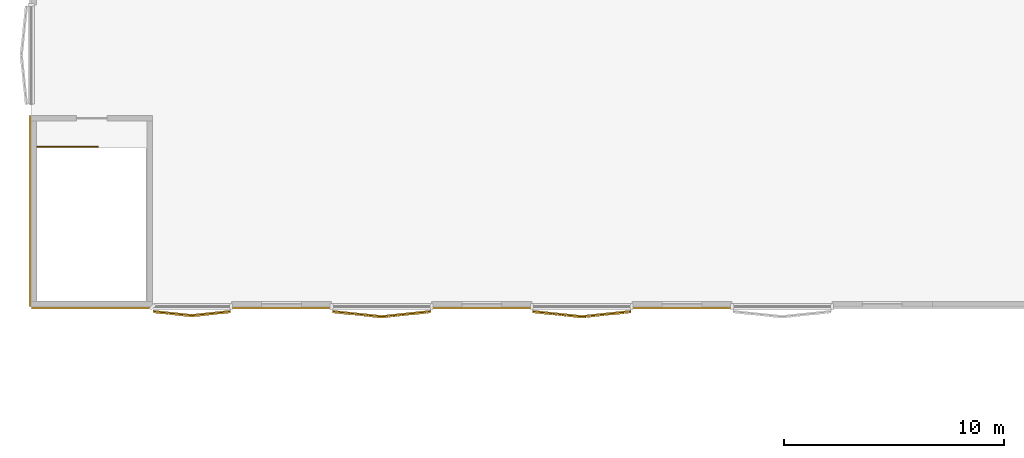
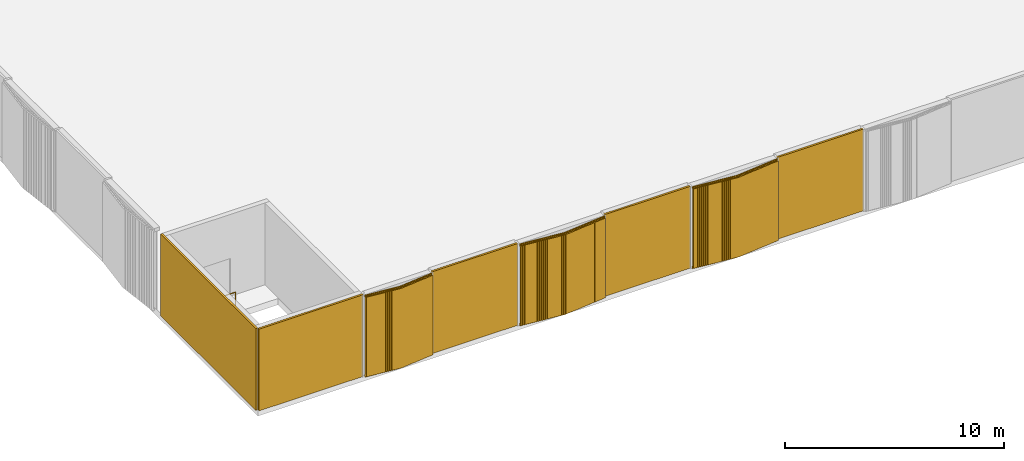
# One storey, part 18 of 24: 8 coverings, 1 railing.
"""IFC4 building model written with IfcOpenShell, lengths in metres."""

from ifc_helpers import new_model, si_unit, direction, frame, frame_2d, origin, origin_2d, place, context, subcontext, project, spatial, rectangle, circle, extrude, source, transform, mapped, material, layer, layer_set, type_object, element, save


model = new_model("IFC4")

# Units and contexts
model_context = context("Model", 3, precision=1e-05, world=origin(), true_north=direction((0.0, 1.0)))
body_context = subcontext(model_context, "Body", "Model", "MODEL_VIEW")
ifc_project = project(units=[si_unit("LENGTHUNIT", "METRE"), si_unit("AREAUNIT", "SQUARE_METRE"), si_unit("VOLUMEUNIT", "CUBIC_METRE"), si_unit("PLANEANGLEUNIT", "RADIAN"), si_unit("MASSUNIT", "GRAM", prefix="KILO")], contexts=[model_context])

# Site, building, storey
site_placement = place(None, origin())
site = spatial("IfcSite", under=ifc_project, at=site_placement, CompositionType="ELEMENT")
building_placement = place(site_placement, origin())
building = spatial("IfcBuilding", under=site, at=building_placement, Name="Tamra Quay Hotel Tower", CompositionType="ELEMENT")
storey_placement = place(building_placement, frame((0.0, 0.0, 19.5)))
storey = spatial("IfcBuildingStorey", under=building, at=storey_placement, Name="L03", CompositionType="ELEMENT", Elevation=19.5)

# Coverings
ifc_material_1 = material(Name="Precast concrete M60 terracotta-coloured pierced relief", Category="masonry")
ifc_layer = layer(ifc_material_1, 0.10009765625)
ifc_layer_set = layer_set([ifc_layer], Name="PIERCED RELIEF PANEL 100")
covering_type_1 = type_object("IfcCoveringType", Name="PIERCED RELIEF PANEL 100", PredefinedType="CLADDING", material=ifc_layer_set)
for number, where, z_axis, x_axis, name in (
    (1, (-77.734619140625, -32.050048828125, 0.0), (0.0, 0.0, 1.0), (1.0, 0.0, 0.0), "Relief panel L03.SW.12"),
    (2, (-68.642333984375, -32.050048828125, 0.0), (0.0, 0.0, 1.0), (1.0, 0.0, 0.0), "Relief panel L03.SW.14"),
    (3, (-59.550048828125, -32.050048828125, 0.0), (0.0, 0.0, 1.0), (1.0, 0.0, 0.0), "Relief panel L03.SW.16"),
):
    element("IfcCovering", number, at=place(storey_placement, frame(where, z_axis=z_axis, x_axis=x_axis)), inside=storey, type_object=covering_type_1, Name=name, PredefinedType="CLADDING", context=body_context, shape_type="SweptSolid", body=[
        extrude(rectangle(XDim=4.526123046875, YDim=0.10009765625, at=origin_2d()), origin(), (0.0, 0.0, 1.0), 4.550048828125),
    ])
covering_1_placement = place(storey_placement, frame((-89.14990234375, -27.64990234375, 0.0), z_axis=(0.0, 0.0, 1.0), x_axis=(0.0, -1.0, 0.0)))
element("IfcCovering", 4, at=covering_1_placement, inside=storey, type_object=covering_type_1, Name="Relief panel L03.PS2.2", PredefinedType="CLADDING", context=body_context, shape_type="SweptSolid", body=[
    extrude(rectangle(XDim=8.679931640625, YDim=0.10009765625, at=origin_2d()), origin(), (0.0, 0.0, 1.0), 4.550048828125),
])
covering_2_placement = place(storey_placement, frame((-86.35009765625, -32.050048828125, 0.0), z_axis=(0.0, 0.0, 1.0), x_axis=(1.0, 0.0, 0.0)))
element("IfcCovering", 5, at=covering_2_placement, inside=storey, type_object=covering_type_1, Name="Relief panel L03.PS2.3", PredefinedType="CLADDING", context=body_context, shape_type="SweptSolid", body=[
    extrude(rectangle(XDim=5.47998046875, YDim=0.10009765625, at=origin_2d()), origin(), (0.0, 0.0, 1.0), 4.550048828125),
])

# Railing
ifc_material_2 = material(Name="Stair guard 1100")
railing_type = type_object("IfcRailingType", Name="Stair guard 1100", PredefinedType="GUARDRAIL", material=ifc_material_2)
railing_placement = place(storey_placement, frame((-88.830078125, -24.719970703125, 0.0)))
element("IfcRailing", 6, at=railing_placement, inside=storey, type_object=railing_type, Name="GR", PredefinedType="GUARDRAIL", context=body_context, shape_type="SweptSolid", body=[
    extrude(circle(Radius=0.02392578125, at=origin_2d()), frame((0.0, 0.0, 1.076171875), z_axis=(1.0, 0.0, 0.0), x_axis=(0.0, 1.0, 0.0)), (0.0, 0.0, 1.0), 2.760009765625),
    extrude(circle(Radius=0.02099609375, at=origin_2d()), origin(), (0.0, 0.0, 1.0), 1.052001953125),
    extrude(circle(Radius=0.02099609375, at=origin_2d()), frame((0.919921875, 0.0, 0.0)), (0.0, 0.0, 1.0), 1.052001953125),
    extrude(circle(Radius=0.02099609375, at=origin_2d()), frame((1.840087890625, 0.0, 0.0)), (0.0, 0.0, 1.0), 1.052001953125),
    extrude(circle(Radius=0.02099609375, at=origin_2d()), frame((2.760009765625, 0.0, 0.0)), (0.0, 0.0, 1.0), 1.052001953125),
])

# Coverings
ifc_material_3 = material(Name="Terracotta baguette extruded", Category="masonry")
covering_type_2 = type_object("IfcCoveringType", Name="BAGUETTE SCREEN PODIUM-SHALLOW H4550", PredefinedType="USERDEFINED", material=ifc_material_3)
shared_shape_1 = source(origin(), body_context, "Body", "SweptSolid", [
    extrude(rectangle(XDim=1.76220703125, YDim=0.06005859375, at=frame_2d((0.881103515625, 0.030029296875))), frame((-1.7587890625, -0.0576171875, -0.1201171875), z_axis=(0.0, 0.0, 1.0), x_axis=(0.994521895368, -0.104528463268, 0.0)), (0.0, 0.0, 1.0), 0.1201171875),
    extrude(rectangle(XDim=1.76220703125, YDim=0.06005859375, at=frame_2d((0.881103515625, 0.030029296875))), frame((-1.7587890625, -0.0576171875, -4.550048828125), z_axis=(0.0, 0.0, 1.0), x_axis=(0.994521895368, -0.104528463268, 0.0)), (0.0, 0.0, 1.0), 0.1201171875),
    extrude(rectangle(XDim=0.094970703125, YDim=0.10009765625, at=frame_2d((0.04736328125, 0.050048828125))), frame((-1.751220703125, -0.133056640625, -4.489990234375)), (0.0, 0.0, 1.0), 4.429931640625),
    extrude(rectangle(XDim=0.094970703125, YDim=0.10009765625, at=frame_2d((0.04736328125, 0.050048828125))), frame((-1.654052734375, -0.143310546875, -4.489990234375)), (0.0, 0.0, 1.0), 4.429931640625),
    extrude(rectangle(XDim=0.094970703125, YDim=0.10009765625, at=frame_2d((0.04736328125, 0.050048828125))), frame((-1.556640625, -0.153564453125, -4.489990234375)), (0.0, 0.0, 1.0), 4.429931640625),
    extrude(rectangle(XDim=0.094970703125, YDim=0.10009765625, at=frame_2d((0.04736328125, 0.050048828125))), frame((-1.459228515625, -0.163818359375, -4.489990234375)), (0.0, 0.0, 1.0), 4.429931640625),
    extrude(rectangle(XDim=0.094970703125, YDim=0.10009765625, at=frame_2d((0.04736328125, 0.050048828125))), frame((-1.36181640625, -0.174072265625, -4.489990234375)), (0.0, 0.0, 1.0), 4.429931640625),
    extrude(rectangle(XDim=0.094970703125, YDim=0.10009765625, at=frame_2d((0.04736328125, 0.050048828125))), frame((-1.264404296875, -0.184326171875, -4.489990234375)), (0.0, 0.0, 1.0), 4.429931640625),
    extrude(rectangle(XDim=0.094970703125, YDim=0.10009765625, at=frame_2d((0.04736328125, 0.050048828125))), frame((-1.167236328125, -0.194580078125, -4.489990234375)), (0.0, 0.0, 1.0), 4.429931640625),
    extrude(rectangle(XDim=0.094970703125, YDim=0.10009765625, at=frame_2d((0.04736328125, 0.050048828125))), frame((-1.06982421875, -0.204833984375, -4.489990234375)), (0.0, 0.0, 1.0), 4.429931640625),
    extrude(rectangle(XDim=0.094970703125, YDim=0.10009765625, at=frame_2d((0.04736328125, 0.050048828125))), frame((-0.972412109375, -0.215087890625, -4.489990234375)), (0.0, 0.0, 1.0), 4.429931640625),
    extrude(rectangle(XDim=0.094970703125, YDim=0.10009765625, at=frame_2d((0.04736328125, 0.050048828125))), frame((-0.875, -0.22509765625, -4.489990234375)), (0.0, 0.0, 1.0), 4.429931640625),
    extrude(rectangle(XDim=0.094970703125, YDim=0.10009765625, at=frame_2d((0.04736328125, 0.050048828125))), frame((-0.77783203125, -0.2353515625, -4.489990234375)), (0.0, 0.0, 1.0), 4.429931640625),
    extrude(rectangle(XDim=0.094970703125, YDim=0.10009765625, at=frame_2d((0.04736328125, 0.050048828125))), frame((-0.680419921875, -0.24560546875, -4.489990234375)), (0.0, 0.0, 1.0), 4.429931640625),
    extrude(rectangle(XDim=0.094970703125, YDim=0.10009765625, at=frame_2d((0.04736328125, 0.050048828125))), frame((-0.5830078125, -0.255859375, -4.489990234375)), (0.0, 0.0, 1.0), 4.429931640625),
    extrude(rectangle(XDim=0.094970703125, YDim=0.10009765625, at=frame_2d((0.04736328125, 0.050048828125))), frame((-0.485595703125, -0.26611328125, -4.489990234375)), (0.0, 0.0, 1.0), 4.429931640625),
    extrude(rectangle(XDim=0.094970703125, YDim=0.10009765625, at=frame_2d((0.04736328125, 0.050048828125))), frame((-0.38818359375, -0.2763671875, -4.489990234375)), (0.0, 0.0, 1.0), 4.429931640625),
    extrude(rectangle(XDim=0.094970703125, YDim=0.10009765625, at=frame_2d((0.04736328125, 0.050048828125))), frame((-0.291015625, -0.28662109375, -4.489990234375)), (0.0, 0.0, 1.0), 4.429931640625),
    extrude(rectangle(XDim=0.094970703125, YDim=0.10009765625, at=frame_2d((0.04736328125, 0.050048828125))), frame((-0.193603515625, -0.296875, -4.489990234375)), (0.0, 0.0, 1.0), 4.429931640625),
    extrude(rectangle(XDim=0.094970703125, YDim=0.10009765625, at=frame_2d((0.04736328125, 0.050048828125))), frame((-0.09619140625, -0.30712890625, -4.489990234375)), (0.0, 0.0, 1.0), 4.429931640625),
    extrude(rectangle(XDim=1.76220703125, YDim=0.06005859375, at=frame_2d((0.881103515625, 0.030029296875))), frame((0.00634765625, -0.241943359375, -0.1201171875), z_axis=(0.0, 0.0, 1.0), x_axis=(0.994521895368, 0.104528463268, 0.0)), (0.0, 0.0, 1.0), 0.1201171875),
    extrude(rectangle(XDim=1.76220703125, YDim=0.06005859375, at=frame_2d((0.881103515625, 0.030029296875))), frame((0.00634765625, -0.241943359375, -4.550048828125), z_axis=(0.0, 0.0, 1.0), x_axis=(0.994521895368, 0.104528463268, 0.0)), (0.0, 0.0, 1.0), 0.1201171875),
    extrude(rectangle(XDim=0.094970703125, YDim=0.10009765625, at=frame_2d((0.04736328125, 0.050048828125))), frame((0.001220703125, -0.30712890625, -4.489990234375)), (0.0, 0.0, 1.0), 4.429931640625),
    extrude(rectangle(XDim=0.094970703125, YDim=0.10009765625, at=frame_2d((0.04736328125, 0.050048828125))), frame((0.0986328125, -0.296875, -4.489990234375)), (0.0, 0.0, 1.0), 4.429931640625),
    extrude(rectangle(XDim=0.094970703125, YDim=0.10009765625, at=frame_2d((0.04736328125, 0.050048828125))), frame((0.19580078125, -0.28662109375, -4.489990234375)), (0.0, 0.0, 1.0), 4.429931640625),
    extrude(rectangle(XDim=0.094970703125, YDim=0.10009765625, at=frame_2d((0.04736328125, 0.050048828125))), frame((0.293212890625, -0.2763671875, -4.489990234375)), (0.0, 0.0, 1.0), 4.429931640625),
    extrude(rectangle(XDim=0.094970703125, YDim=0.10009765625, at=frame_2d((0.04736328125, 0.050048828125))), frame((0.390625, -0.26611328125, -4.489990234375)), (0.0, 0.0, 1.0), 4.429931640625),
    extrude(rectangle(XDim=0.094970703125, YDim=0.10009765625, at=frame_2d((0.04736328125, 0.050048828125))), frame((0.488037109375, -0.255859375, -4.489990234375)), (0.0, 0.0, 1.0), 4.429931640625),
    extrude(rectangle(XDim=0.094970703125, YDim=0.10009765625, at=frame_2d((0.04736328125, 0.050048828125))), frame((0.58544921875, -0.24560546875, -4.489990234375)), (0.0, 0.0, 1.0), 4.429931640625),
    extrude(rectangle(XDim=0.094970703125, YDim=0.10009765625, at=frame_2d((0.04736328125, 0.050048828125))), frame((0.6826171875, -0.2353515625, -4.489990234375)), (0.0, 0.0, 1.0), 4.429931640625),
    extrude(rectangle(XDim=0.094970703125, YDim=0.10009765625, at=frame_2d((0.04736328125, 0.050048828125))), frame((0.780029296875, -0.22509765625, -4.489990234375)), (0.0, 0.0, 1.0), 4.429931640625),
    extrude(rectangle(XDim=0.094970703125, YDim=0.10009765625, at=frame_2d((0.04736328125, 0.050048828125))), frame((0.87744140625, -0.215087890625, -4.489990234375)), (0.0, 0.0, 1.0), 4.429931640625),
    extrude(rectangle(XDim=0.094970703125, YDim=0.10009765625, at=frame_2d((0.04736328125, 0.050048828125))), frame((0.974853515625, -0.204833984375, -4.489990234375)), (0.0, 0.0, 1.0), 4.429931640625),
    extrude(rectangle(XDim=0.094970703125, YDim=0.10009765625, at=frame_2d((0.04736328125, 0.050048828125))), frame((1.072265625, -0.194580078125, -4.489990234375)), (0.0, 0.0, 1.0), 4.429931640625),
    extrude(rectangle(XDim=0.094970703125, YDim=0.10009765625, at=frame_2d((0.04736328125, 0.050048828125))), frame((1.16943359375, -0.184326171875, -4.489990234375)), (0.0, 0.0, 1.0), 4.429931640625),
    extrude(rectangle(XDim=0.094970703125, YDim=0.10009765625, at=frame_2d((0.04736328125, 0.050048828125))), frame((1.266845703125, -0.174072265625, -4.489990234375)), (0.0, 0.0, 1.0), 4.429931640625),
    extrude(rectangle(XDim=0.094970703125, YDim=0.10009765625, at=frame_2d((0.04736328125, 0.050048828125))), frame((1.3642578125, -0.163818359375, -4.489990234375)), (0.0, 0.0, 1.0), 4.429931640625),
    extrude(rectangle(XDim=0.094970703125, YDim=0.10009765625, at=frame_2d((0.04736328125, 0.050048828125))), frame((1.461669921875, -0.153564453125, -4.489990234375)), (0.0, 0.0, 1.0), 4.429931640625),
    extrude(rectangle(XDim=0.094970703125, YDim=0.10009765625, at=frame_2d((0.04736328125, 0.050048828125))), frame((1.55908203125, -0.143310546875, -4.489990234375)), (0.0, 0.0, 1.0), 4.429931640625),
    extrude(rectangle(XDim=0.094970703125, YDim=0.10009765625, at=frame_2d((0.04736328125, 0.050048828125))), frame((1.65625, -0.133056640625, -4.489990234375)), (0.0, 0.0, 1.0), 4.429931640625),
])
covering_3_placement = place(storey_placement, frame((-81.803955078125, -32.14794921875, 4.550048828125), z_axis=(0.0, 0.0, 1.0), x_axis=(1.0, 0.0, 0.0)))
element("IfcCovering", 7, at=covering_3_placement, inside=storey, type_object=covering_type_2, Name="Baguette screen L03.SW.f00", ObjectType="BAGUETTE SCREEN", PredefinedType="USERDEFINED", context=body_context, shape_type="MappedRepresentation", body=[
    mapped(shared_shape_1, transform((0.0, 0.0, 0.0), scale=1.0)),
])
shared_shape_2 = source(origin(), body_context, "Body", "SweptSolid", [
    extrude(rectangle(XDim=2.244873046875, YDim=0.06005859375, at=frame_2d((1.12255859375, 0.030029296875))), frame((-2.23876953125, -0.0576171875, -0.1201171875), z_axis=(0.0, 0.0, 1.0), x_axis=(0.994521895368, -0.104528463268, 0.0)), (0.0, 0.0, 1.0), 0.1201171875),
    extrude(rectangle(XDim=2.244873046875, YDim=0.06005859375, at=frame_2d((1.12255859375, 0.030029296875))), frame((-2.23876953125, -0.0576171875, -4.550048828125), z_axis=(0.0, 0.0, 1.0), x_axis=(0.994521895368, -0.104528463268, 0.0)), (0.0, 0.0, 1.0), 0.1201171875),
    extrude(rectangle(XDim=0.094970703125, YDim=0.10009765625, at=frame_2d((0.04736328125, 0.050048828125))), frame((-2.229248046875, -0.13330078125, -4.489990234375)), (0.0, 0.0, 1.0), 4.429931640625),
    extrude(rectangle(XDim=0.094970703125, YDim=0.10009765625, at=frame_2d((0.04736328125, 0.050048828125))), frame((-2.127685546875, -0.14404296875, -4.489990234375)), (0.0, 0.0, 1.0), 4.429931640625),
    extrude(rectangle(XDim=0.094970703125, YDim=0.10009765625, at=frame_2d((0.04736328125, 0.050048828125))), frame((-2.0263671875, -0.154541015625, -4.489990234375)), (0.0, 0.0, 1.0), 4.429931640625),
    extrude(rectangle(XDim=0.094970703125, YDim=0.10009765625, at=frame_2d((0.04736328125, 0.050048828125))), frame((-1.9248046875, -0.165283203125, -4.489990234375)), (0.0, 0.0, 1.0), 4.429931640625),
    extrude(rectangle(XDim=0.094970703125, YDim=0.10009765625, at=frame_2d((0.04736328125, 0.050048828125))), frame((-1.8232421875, -0.176025390625, -4.489990234375)), (0.0, 0.0, 1.0), 4.429931640625),
    extrude(rectangle(XDim=0.094970703125, YDim=0.10009765625, at=frame_2d((0.04736328125, 0.050048828125))), frame((-1.721923828125, -0.186767578125, -4.489990234375)), (0.0, 0.0, 1.0), 4.429931640625),
    extrude(rectangle(XDim=0.094970703125, YDim=0.10009765625, at=frame_2d((0.04736328125, 0.050048828125))), frame((-1.620361328125, -0.197265625, -4.489990234375)), (0.0, 0.0, 1.0), 4.429931640625),
    extrude(rectangle(XDim=0.094970703125, YDim=0.10009765625, at=frame_2d((0.04736328125, 0.050048828125))), frame((-1.518798828125, -0.2080078125, -4.489990234375)), (0.0, 0.0, 1.0), 4.429931640625),
    extrude(rectangle(XDim=0.094970703125, YDim=0.10009765625, at=frame_2d((0.04736328125, 0.050048828125))), frame((-1.41748046875, -0.21875, -4.489990234375)), (0.0, 0.0, 1.0), 4.429931640625),
    extrude(rectangle(XDim=0.094970703125, YDim=0.10009765625, at=frame_2d((0.04736328125, 0.050048828125))), frame((-1.31591796875, -0.229248046875, -4.489990234375)), (0.0, 0.0, 1.0), 4.429931640625),
    extrude(rectangle(XDim=0.094970703125, YDim=0.10009765625, at=frame_2d((0.04736328125, 0.050048828125))), frame((-1.214599609375, -0.239990234375, -4.489990234375)), (0.0, 0.0, 1.0), 4.429931640625),
    extrude(rectangle(XDim=0.094970703125, YDim=0.10009765625, at=frame_2d((0.04736328125, 0.050048828125))), frame((-1.113037109375, -0.250732421875, -4.489990234375)), (0.0, 0.0, 1.0), 4.429931640625),
    extrude(rectangle(XDim=0.094970703125, YDim=0.10009765625, at=frame_2d((0.04736328125, 0.050048828125))), frame((-1.011474609375, -0.26123046875, -4.489990234375)), (0.0, 0.0, 1.0), 4.429931640625),
    extrude(rectangle(XDim=0.094970703125, YDim=0.10009765625, at=frame_2d((0.04736328125, 0.050048828125))), frame((-0.91015625, -0.27197265625, -4.489990234375)), (0.0, 0.0, 1.0), 4.429931640625),
    extrude(rectangle(XDim=0.094970703125, YDim=0.10009765625, at=frame_2d((0.04736328125, 0.050048828125))), frame((-0.80859375, -0.28271484375, -4.489990234375)), (0.0, 0.0, 1.0), 4.429931640625),
    extrude(rectangle(XDim=0.094970703125, YDim=0.10009765625, at=frame_2d((0.04736328125, 0.050048828125))), frame((-0.70703125, -0.293212890625, -4.489990234375)), (0.0, 0.0, 1.0), 4.429931640625),
    extrude(rectangle(XDim=0.094970703125, YDim=0.10009765625, at=frame_2d((0.04736328125, 0.050048828125))), frame((-0.605712890625, -0.303955078125, -4.489990234375)), (0.0, 0.0, 1.0), 4.429931640625),
    extrude(rectangle(XDim=0.094970703125, YDim=0.10009765625, at=frame_2d((0.04736328125, 0.050048828125))), frame((-0.504150390625, -0.314697265625, -4.489990234375)), (0.0, 0.0, 1.0), 4.429931640625),
    extrude(rectangle(XDim=0.094970703125, YDim=0.10009765625, at=frame_2d((0.04736328125, 0.050048828125))), frame((-0.402587890625, -0.325439453125, -4.489990234375)), (0.0, 0.0, 1.0), 4.429931640625),
    extrude(rectangle(XDim=0.094970703125, YDim=0.10009765625, at=frame_2d((0.04736328125, 0.050048828125))), frame((-0.30126953125, -0.3359375, -4.489990234375)), (0.0, 0.0, 1.0), 4.429931640625),
    extrude(rectangle(XDim=0.094970703125, YDim=0.10009765625, at=frame_2d((0.04736328125, 0.050048828125))), frame((-0.19970703125, -0.3466796875, -4.489990234375)), (0.0, 0.0, 1.0), 4.429931640625),
    extrude(rectangle(XDim=0.094970703125, YDim=0.10009765625, at=frame_2d((0.04736328125, 0.050048828125))), frame((-0.09814453125, -0.357421875, -4.489990234375)), (0.0, 0.0, 1.0), 4.429931640625),
    extrude(rectangle(XDim=2.244873046875, YDim=0.06005859375, at=frame_2d((1.12255859375, 0.030029296875))), frame((0.00634765625, -0.292236328125, -0.1201171875), z_axis=(0.0, 0.0, 1.0), x_axis=(0.994521895368, 0.104528463268, 0.0)), (0.0, 0.0, 1.0), 0.1201171875),
    extrude(rectangle(XDim=2.244873046875, YDim=0.06005859375, at=frame_2d((1.12255859375, 0.030029296875))), frame((0.00634765625, -0.292236328125, -4.550048828125), z_axis=(0.0, 0.0, 1.0), x_axis=(0.994521895368, 0.104528463268, 0.0)), (0.0, 0.0, 1.0), 0.1201171875),
    extrude(rectangle(XDim=0.094970703125, YDim=0.10009765625, at=frame_2d((0.04736328125, 0.050048828125))), frame((0.003173828125, -0.357421875, -4.489990234375)), (0.0, 0.0, 1.0), 4.429931640625),
    extrude(rectangle(XDim=0.094970703125, YDim=0.10009765625, at=frame_2d((0.04736328125, 0.050048828125))), frame((0.104736328125, -0.3466796875, -4.489990234375)), (0.0, 0.0, 1.0), 4.429931640625),
    extrude(rectangle(XDim=0.094970703125, YDim=0.10009765625, at=frame_2d((0.04736328125, 0.050048828125))), frame((0.206298828125, -0.3359375, -4.489990234375)), (0.0, 0.0, 1.0), 4.429931640625),
    extrude(rectangle(XDim=0.094970703125, YDim=0.10009765625, at=frame_2d((0.04736328125, 0.050048828125))), frame((0.3076171875, -0.325439453125, -4.489990234375)), (0.0, 0.0, 1.0), 4.429931640625),
    extrude(rectangle(XDim=0.094970703125, YDim=0.10009765625, at=frame_2d((0.04736328125, 0.050048828125))), frame((0.4091796875, -0.314697265625, -4.489990234375)), (0.0, 0.0, 1.0), 4.429931640625),
    extrude(rectangle(XDim=0.094970703125, YDim=0.10009765625, at=frame_2d((0.04736328125, 0.050048828125))), frame((0.510498046875, -0.303955078125, -4.489990234375)), (0.0, 0.0, 1.0), 4.429931640625),
    extrude(rectangle(XDim=0.094970703125, YDim=0.10009765625, at=frame_2d((0.04736328125, 0.050048828125))), frame((0.612060546875, -0.293212890625, -4.489990234375)), (0.0, 0.0, 1.0), 4.429931640625),
    extrude(rectangle(XDim=0.094970703125, YDim=0.10009765625, at=frame_2d((0.04736328125, 0.050048828125))), frame((0.713623046875, -0.28271484375, -4.489990234375)), (0.0, 0.0, 1.0), 4.429931640625),
    extrude(rectangle(XDim=0.094970703125, YDim=0.10009765625, at=frame_2d((0.04736328125, 0.050048828125))), frame((0.81494140625, -0.27197265625, -4.489990234375)), (0.0, 0.0, 1.0), 4.429931640625),
    extrude(rectangle(XDim=0.094970703125, YDim=0.10009765625, at=frame_2d((0.04736328125, 0.050048828125))), frame((0.91650390625, -0.26123046875, -4.489990234375)), (0.0, 0.0, 1.0), 4.429931640625),
    extrude(rectangle(XDim=0.094970703125, YDim=0.10009765625, at=frame_2d((0.04736328125, 0.050048828125))), frame((1.01806640625, -0.250732421875, -4.489990234375)), (0.0, 0.0, 1.0), 4.429931640625),
    extrude(rectangle(XDim=0.094970703125, YDim=0.10009765625, at=frame_2d((0.04736328125, 0.050048828125))), frame((1.119384765625, -0.239990234375, -4.489990234375)), (0.0, 0.0, 1.0), 4.429931640625),
    extrude(rectangle(XDim=0.094970703125, YDim=0.10009765625, at=frame_2d((0.04736328125, 0.050048828125))), frame((1.220947265625, -0.229248046875, -4.489990234375)), (0.0, 0.0, 1.0), 4.429931640625),
    extrude(rectangle(XDim=0.094970703125, YDim=0.10009765625, at=frame_2d((0.04736328125, 0.050048828125))), frame((1.322509765625, -0.21875, -4.489990234375)), (0.0, 0.0, 1.0), 4.429931640625),
    extrude(rectangle(XDim=0.094970703125, YDim=0.10009765625, at=frame_2d((0.04736328125, 0.050048828125))), frame((1.423828125, -0.2080078125, -4.489990234375)), (0.0, 0.0, 1.0), 4.429931640625),
    extrude(rectangle(XDim=0.094970703125, YDim=0.10009765625, at=frame_2d((0.04736328125, 0.050048828125))), frame((1.525390625, -0.197265625, -4.489990234375)), (0.0, 0.0, 1.0), 4.429931640625),
    extrude(rectangle(XDim=0.094970703125, YDim=0.10009765625, at=frame_2d((0.04736328125, 0.050048828125))), frame((1.626953125, -0.186767578125, -4.489990234375)), (0.0, 0.0, 1.0), 4.429931640625),
    extrude(rectangle(XDim=0.094970703125, YDim=0.10009765625, at=frame_2d((0.04736328125, 0.050048828125))), frame((1.728271484375, -0.176025390625, -4.489990234375)), (0.0, 0.0, 1.0), 4.429931640625),
    extrude(rectangle(XDim=0.094970703125, YDim=0.10009765625, at=frame_2d((0.04736328125, 0.050048828125))), frame((1.829833984375, -0.165283203125, -4.489990234375)), (0.0, 0.0, 1.0), 4.429931640625),
    extrude(rectangle(XDim=0.094970703125, YDim=0.10009765625, at=frame_2d((0.04736328125, 0.050048828125))), frame((1.931396484375, -0.154541015625, -4.489990234375)), (0.0, 0.0, 1.0), 4.429931640625),
    extrude(rectangle(XDim=0.094970703125, YDim=0.10009765625, at=frame_2d((0.04736328125, 0.050048828125))), frame((2.03271484375, -0.14404296875, -4.489990234375)), (0.0, 0.0, 1.0), 4.429931640625),
    extrude(rectangle(XDim=0.094970703125, YDim=0.10009765625, at=frame_2d((0.04736328125, 0.050048828125))), frame((2.13427734375, -0.13330078125, -4.489990234375)), (0.0, 0.0, 1.0), 4.429931640625),
])
for number, where, z_axis, x_axis, name in (
    (8, (-73.1884765625, -32.14794921875, 4.550048828125), (0.0, 0.0, 1.0), (1.0, 0.0, 0.0), "Baguette screen L03.SW.f01"),
    (9, (-64.09619140625, -32.14794921875, 4.550048828125), (0.0, 0.0, 1.0), (1.0, 0.0, 0.0), "Baguette screen L03.SW.f02"),
):
    element("IfcCovering", number, at=place(storey_placement, frame(where, z_axis=z_axis, x_axis=x_axis)), inside=storey, type_object=covering_type_2, Name=name, ObjectType="BAGUETTE SCREEN", PredefinedType="USERDEFINED", context=body_context, shape_type="MappedRepresentation", body=[
        mapped(shared_shape_2, transform((0.0, 0.0, 0.0), scale=1.0)),
    ])

save(model, "model.ifc")
